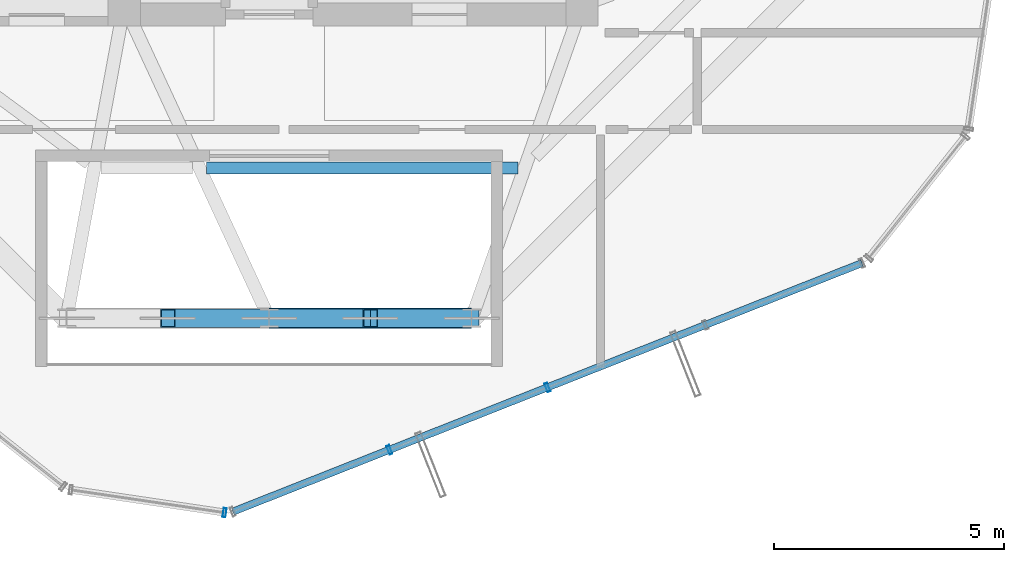
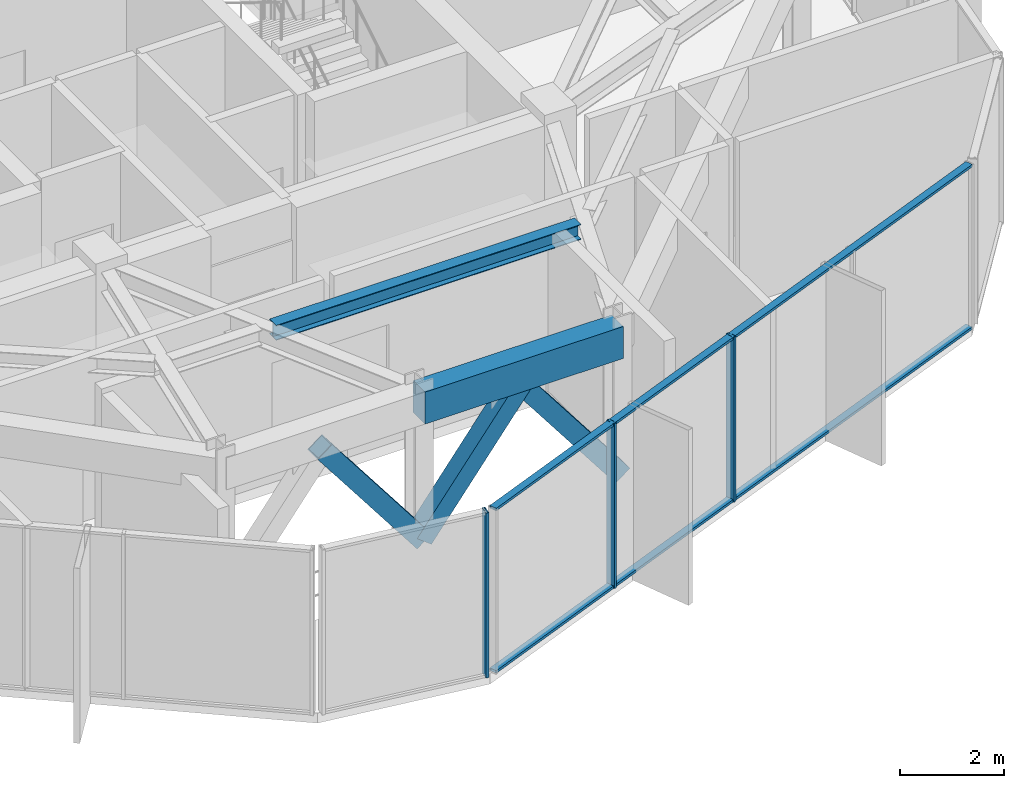
# One storey, part 6 of 22: 8 members, 2 beams, 2 elements without a shape of their own.
"""IFC4 building model written with IfcOpenShell, lengths in metres."""

from ifc_helpers import new_model, si_unit, direction, frame, origin, origin_2d, place, context, subcontext, project, spatial, rectangle, hollow_rectangle, i_section, extrude, source, transform, mapped, material, layer, layer_set, material_profile, profile_set, type_object, element, aggregate, save


model = new_model("IFC4")

# Units and contexts
model_context = context("Model", 3, precision=1e-05, world=origin(), true_north=direction((0.0, 1.0)))
body_context = subcontext(model_context, "Body", "Model", "MODEL_VIEW")
ifc_project = project(units=[si_unit("LENGTHUNIT", "METRE"), si_unit("AREAUNIT", "SQUARE_METRE"), si_unit("VOLUMEUNIT", "CUBIC_METRE"), si_unit("PLANEANGLEUNIT", "RADIAN"), si_unit("MASSUNIT", "GRAM", prefix="KILO")], contexts=[model_context])

# Site, building, storey
site_placement = place(None, origin())
site = spatial("IfcSite", under=ifc_project, at=site_placement, CompositionType="ELEMENT")
building_placement = place(site_placement, origin())
building = spatial("IfcBuilding", under=site, at=building_placement, Name="Veraguas Prism Commons", CompositionType="ELEMENT")
storey_placement = place(building_placement, frame((0.0, 0.0, 236.550048828125)))
storey = spatial("IfcBuildingStorey", under=building, at=storey_placement, Name="L67", CompositionType="ELEMENT", Elevation=236.550048828125)

# Beams
ifc_material_1 = material(Name="Concrete C50/60", Category="concrete")
ifc_material_profile_1 = material_profile(ifc_material_1, rectangle(XDim=0.449951171875, YDim=0.75, at=origin_2d()), Name="RC450X750")
ifc_profile_set_1 = profile_set([ifc_material_profile_1], Name="Concrete C50/60")
beam_type_1 = type_object("IfcBeamType", Name="Perimeter Spandrel Upper RC 450x750", PredefinedType="SPANDREL", material=ifc_profile_set_1)
beam_1_placement = place(storey_placement, frame((24.0, 10.199951171875, 3.489990234375), z_axis=(1.0, 0.0, 0.0), x_axis=(0.0, 1.0, 0.0)))
element("IfcBeam", 1, at=beam_1_placement, inside=storey, type_object=beam_type_1, Name="Perimeter Spandrel Beam L67-SP11", PredefinedType="SPANDREL", context=body_context, shape_type="SweptSolid", body=[
    extrude(rectangle(XDim=0.449951171875, YDim=0.75, at=origin_2d()), origin(), (0.0, 0.0, 1.0), 4.39990234375),
])
ifc_material_2 = material(Name="Steel ASTM A992 Grade 50", Category="steel")
ifc_material_profile_2 = material_profile(ifc_material_2, i_section(OverallWidth=0.25390625, OverallDepth=0.35302734375, WebThickness=0.009521484375, FlangeThickness=0.016357421875, at=origin_2d()), Name="W360X91")
ifc_profile_set_2 = profile_set([ifc_material_profile_2], Name="Steel ASTM A992 Grade 50")
beam_type_2 = type_object("IfcBeamType", Name="Upper Floor Joist W360x91", PredefinedType="JOIST", material=ifc_profile_set_2)
beam_2_placement = place(storey_placement, frame((22.6416015625, 13.464111328125, 3.6884765625), z_axis=(1.0, 0.0, 0.0), x_axis=(0.0, 1.0, 0.0)))
element("IfcBeam", 2, at=beam_2_placement, inside=storey, type_object=beam_type_2, Name="Composite Floor Joist L67-JS11", PredefinedType="JOIST", context=body_context, shape_type="SweptSolid", body=[
    extrude(i_section(OverallWidth=0.25390625, OverallDepth=0.35302734375, WebThickness=0.009521484375, FlangeThickness=0.016357421875, at=origin_2d()), origin(), (0.0, 0.0, 1.0), 6.762451171875),
])

# Members
ifc_material_3 = material(Name="Steel ASTM A500 Grade C", Category="steel")
ifc_material_profile_3 = material_profile(ifc_material_3, hollow_rectangle(XDim=0.39990234375, YDim=0.39990234375, WallThickness=0.02001953125, at=origin_2d()), Name="HSS400X400X20")
ifc_profile_set_3 = profile_set([ifc_material_profile_3], Name="Steel ASTM A500 Grade C")
member_type_1 = type_object("IfcMemberType", Name="Wind Portal V-Brace HSS 400x400x20", PredefinedType="BRACE", material=ifc_profile_set_3)
for number, where, z_axis, x_axis, name in (
    (3, (24.0, 10.199951171875, 0.349853515625), (-0.609034408939, 0.0, 0.793143800788), (0.0, -1.0, 0.0), "Wind Portal Frame Brace L67-01B"),
    (4, (24.0, 10.199951171875, 0.349853515625), (0.609034408939, 0.0, 0.793143800788), (0.0, 1.0, 0.0), "Wind Portal Frame Brace L67-02A"),
    (5, (28.39990234375, 10.199951171875, 0.349853515625), (-0.609034408939, 0.0, 0.793143800788), (0.0, -1.0, 0.0), "Wind Portal Frame Brace L67-02B"),
):
    element("IfcMember", number, at=place(storey_placement, frame(where, z_axis=z_axis, x_axis=x_axis)), inside=storey, type_object=member_type_1, Name=name, PredefinedType="BRACE", context=body_context, shape_type="SweptSolid", body=[
        extrude(hollow_rectangle(XDim=0.39990234375, YDim=0.39990234375, WallThickness=0.02001953125, at=origin_2d()), origin(), (0.0, 0.0, 1.0), 3.6123046875),
    ])

# Curtain wall, members
ifc_material_4 = material(Name="Anodised aluminium EN AW-6063 T6", Category="aluminium")
ifc_layer = layer(ifc_material_4, 0.199951171875, Name="Sky Lobby and Pool Acoustic Curtain Wall", Category="aluminium")
ifc_layer_set = layer_set([ifc_layer], Name="Anodised aluminium EN AW-6063 T6")
curtain_wall_type = type_object("IfcCurtainWallType", Name="Sky Lobby and Pool Acoustic Curtain Wall", PredefinedType="NOTDEFINED", material=ifc_layer_set)
curtain_wall_1_placement = place(storey_placement, origin())
curtain_wall_1 = element("IfcCurtainWall", 6, at=curtain_wall_1_placement, inside=storey, type_object=curtain_wall_type, Name="Tower Facade Curtain Wall L67-F5", PredefinedType="NOTDEFINED")
ifc_material_profile_4 = material_profile(ifc_material_4, hollow_rectangle(XDim=0.06494140625, YDim=0.199951171875, WallThickness=0.00390625, at=origin_2d()), Name="AL65X200X4")
ifc_profile_set_4 = profile_set([ifc_material_profile_4], Name="Anodised aluminium EN AW-6063 T6")
member_type_2 = type_object("IfcMemberType", Name="Curtain Wall Mullion Heavy AL 65x200x4", PredefinedType="MULLION", material=ifc_profile_set_4)
shared_shape_1 = source(origin(), body_context, "Body", "SweptSolid", [
    extrude(hollow_rectangle(XDim=0.06494140625, YDim=0.199951171875, WallThickness=0.00390625, at=origin_2d()), origin(), (0.0, 0.0, 1.0), 3.864990234375),
])
member_1_placement = place(storey_placement, frame((26.61328125, 7.340087890625, 0.0), z_axis=(0.0, 0.0, 1.0), x_axis=(0.930030051844, 0.367483472645, 0.0)))
member_1 = element("IfcMember", 7, at=member_1_placement, type_object=member_type_2, Name="CW-SKY Mullion 2", PredefinedType="MULLION", context=body_context, shape_type="MappedRepresentation", body=[
    mapped(shared_shape_1, transform((0.0, 0.0, 0.0), scale=1.0)),
])
member_2_placement = place(storey_placement, frame((30.046630859375, 8.69677734375, 0.0), z_axis=(0.0, 0.0, 1.0), x_axis=(0.930030051844, 0.367483472645, 0.0)))
member_2 = element("IfcMember", 8, at=member_2_placement, type_object=member_type_2, Name="CW-SKY Mullion 3", PredefinedType="MULLION", context=body_context, shape_type="MappedRepresentation", body=[
    mapped(shared_shape_1, transform((0.0, 0.0, 0.0), scale=1.0)),
])

# Curtain wall, member
curtain_wall_2_placement = place(storey_placement, origin())
curtain_wall_2 = element("IfcCurtainWall", 9, at=curtain_wall_2_placement, inside=storey, type_object=curtain_wall_type, Name="Chamfer Curtain Wall L67-C5", PredefinedType="NOTDEFINED")
member_3_placement = place(storey_placement, frame((23.03271484375, 5.97509765625, 0.0), z_axis=(0.0, 0.0, 1.0), x_axis=(0.989168057255, -0.146787446689, 0.0)))
member_3 = element("IfcMember", 10, at=member_3_placement, type_object=member_type_2, Name="CW-SKY Mullion 2", PredefinedType="MULLION", context=body_context, shape_type="MappedRepresentation", body=[
    mapped(shared_shape_1, transform((0.0, 0.0, 0.0), scale=1.0)),
])
aggregate(curtain_wall_2, [member_3])

# Member
ifc_material_profile_5 = material_profile(ifc_material_4, hollow_rectangle(XDim=0.06005859375, YDim=0.159912109375, WallThickness=0.0029296875, at=origin_2d()), Name="AL60X160X3")
ifc_profile_set_5 = profile_set([ifc_material_profile_5], Name="Anodised aluminium EN AW-6063 T6")
member_type_3 = type_object("IfcMemberType", Name="Curtain Wall Transom Heavy AL 60x160x3", PredefinedType="USERDEFINED", material=ifc_profile_set_5)
shared_shape_2 = source(origin(), body_context, "Body", "SweptSolid", [
    extrude(hollow_rectangle(XDim=0.06005859375, YDim=0.159912109375, WallThickness=0.0029296875, at=origin_2d()), origin(), (0.0, 0.0, 1.0), 14.701416015625),
])
member_4_placement = place(storey_placement, frame((23.210205078125, 5.99560546875, 0.030029296875), z_axis=(0.930035174405, 0.367470508164, 0.0), x_axis=(0.0, 0.0, 1.0)))
member_4 = element("IfcMember", 11, at=member_4_placement, type_object=member_type_3, Name="CW-SKY Transom 1", ObjectType="TRANSOM", PredefinedType="USERDEFINED", context=body_context, shape_type="MappedRepresentation", body=[
    mapped(shared_shape_2, transform((0.0, 0.0, 0.0), scale=1.0)),
])

member_5_placement = place(storey_placement, frame((23.210205078125, 5.99560546875, 3.8349609375), z_axis=(0.930035174405, 0.367470508164, 0.0), x_axis=(0.0, 0.0, 1.0)))
member_5 = element("IfcMember", 12, at=member_5_placement, type_object=member_type_3, Name="CW-SKY Transom 2", ObjectType="TRANSOM", PredefinedType="USERDEFINED", context=body_context, shape_type="MappedRepresentation", body=[
    mapped(shared_shape_2, transform((0.0, 0.0, 0.0), scale=1.0)),
])

aggregate(curtain_wall_1, [member_1, member_2, member_4, member_5])

save(model, "model.ifc")
